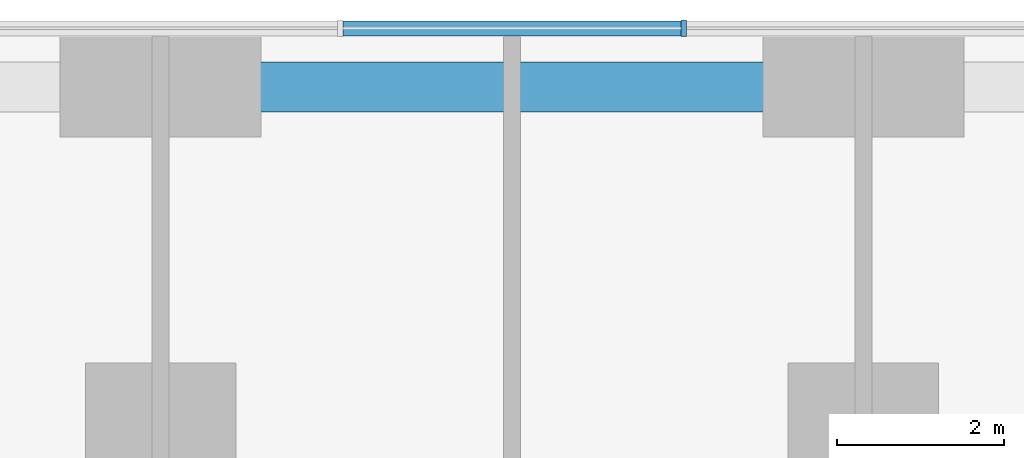
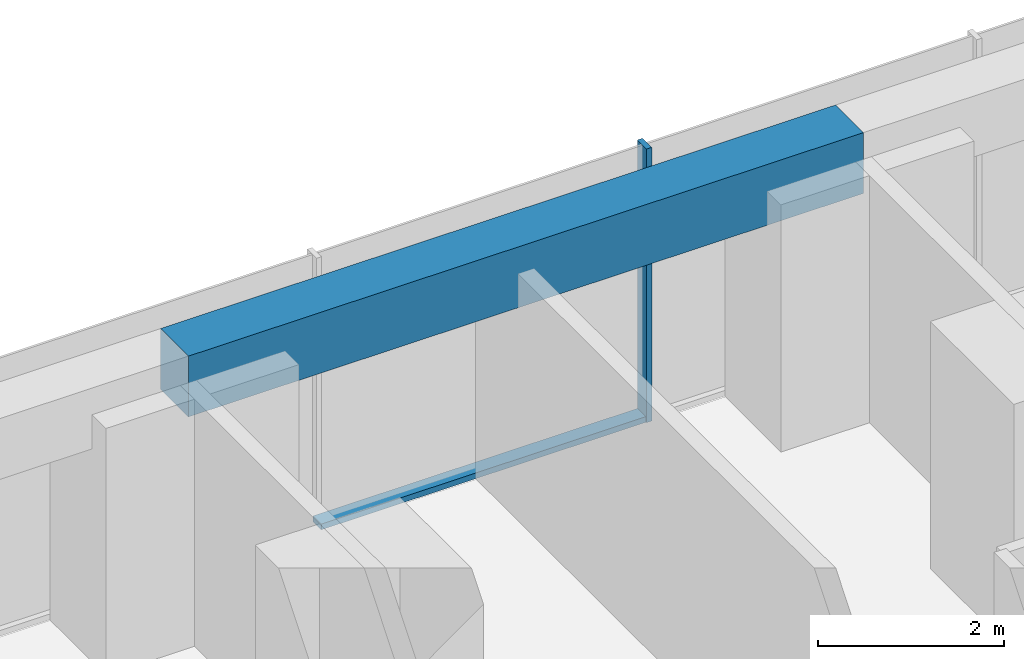
# One storey, part 7 of 18: 2 members, 1 beam, 1 element without a shape of its own.
"""IFC4 building model written with IfcOpenShell, lengths in metres."""

from ifc_helpers import new_model, si_unit, direction, frame, origin, origin_2d, place, context, subcontext, project, spatial, rectangle, extrude, material, material_profile, profile_set, type_object, element, aggregate, save


model = new_model("IFC4")

# Units and contexts
model_context = context("Model", 3, precision=1e-05, world=origin(), true_north=direction((0.0, 1.0)))
body_context = subcontext(model_context, "Body", "Model", "MODEL_VIEW")
ifc_project = project(units=[si_unit("LENGTHUNIT", "METRE"), si_unit("AREAUNIT", "SQUARE_METRE"), si_unit("VOLUMEUNIT", "CUBIC_METRE"), si_unit("PLANEANGLEUNIT", "RADIAN"), si_unit("MASSUNIT", "GRAM", prefix="KILO")], contexts=[model_context])

# Site, building, storey
site_placement = place(None, origin())
site = spatial("IfcSite", under=ifc_project, at=site_placement, CompositionType="ELEMENT")
building_placement = place(site_placement, origin())
building = spatial("IfcBuilding", under=site, at=building_placement, Name="Dunama Terrace Hotel", CompositionType="ELEMENT")
storey_placement = place(building_placement, frame((0.0, 0.0, 27.0)))
storey = spatial("IfcBuildingStorey", under=building, at=storey_placement, Name="L05", CompositionType="ELEMENT", Elevation=27.0)

# Curtain wall, members
ifc_material_1 = material(Name="Aluminium curtain wall system", Category="aluminium")
curtain_wall_type = type_object("IfcCurtainWallType", Name="Unitised fritted glass wall CW-A", PredefinedType="NOTDEFINED", material=ifc_material_1)
curtain_wall_placement = place(storey_placement, origin())
curtain_wall = element("IfcCurtainWall", 1, at=curtain_wall_placement, inside=storey, type_object=curtain_wall_type, Name="Unitised fritted glass wall CW-A L05", PredefinedType="NOTDEFINED")
ifc_material_2 = material(Name="Aluminium mullion", Category="aluminium")
ifc_material_profile_1 = material_profile(ifc_material_2, rectangle(XDim=0.06494140625, YDim=0.199951171875, at=origin_2d()), Name="CWA MULLION 65X200")
ifc_profile_set_1 = profile_set([ifc_material_profile_1], Name="Aluminium mullion")
member_type_1 = type_object("IfcMemberType", Name="CWA mullion 65x200", PredefinedType="MULLION", material=ifc_profile_set_1)
member_1_placement = place(storey_placement, frame((31.4541015625, 58.89990234375, 0.0), z_axis=(0.0, 0.0, 1.0), x_axis=(-1.0, 0.0, 0.0)))
member_1 = element("IfcMember", 2, at=member_1_placement, type_object=member_type_1, Name="CWA mullion", PredefinedType="MULLION", context=body_context, shape_type="SweptSolid", body=[
    extrude(rectangle(XDim=0.06494140625, YDim=0.199951171875, at=origin_2d()), origin(), (0.0, 0.0, 1.0), 3.60009765625),
])
ifc_material_3 = material(Name="Aluminium transom", Category="aluminium")
ifc_material_profile_2 = material_profile(ifc_material_3, rectangle(XDim=0.179931640625, YDim=0.074951171875, at=origin_2d()), Name="CWA TRANSOM 180X75")
ifc_profile_set_2 = profile_set([ifc_material_profile_2], Name="Aluminium transom")
member_type_2 = type_object("IfcMemberType", Name="CWA transom 180x75", PredefinedType="USERDEFINED", material=ifc_profile_set_2)
member_2_placement = place(storey_placement, frame((31.4208984375, 58.89990234375, 0.03759765625), z_axis=(-1.0, 0.0, 0.0), x_axis=(0.0, -1.0, 0.0)))
member_2 = element("IfcMember", 3, at=member_2_placement, type_object=member_type_2, Name="CWA transom", ObjectType="TRANSOM", PredefinedType="USERDEFINED", context=body_context, shape_type="SweptSolid", body=[
    extrude(rectangle(XDim=0.179931640625, YDim=0.074951171875, at=origin_2d()), origin(), (0.0, 0.0, 1.0), 4.0419921875),
])
aggregate(curtain_wall, [member_1, member_2])

# Beam
ifc_material_4 = material(Name="Concrete C40/50", Category="concrete")
ifc_material_profile_3 = material_profile(ifc_material_4, rectangle(XDim=0.60009765625, YDim=0.800048828125, at=origin_2d()), Name="RC 600x800")
ifc_profile_set_3 = profile_set([ifc_material_profile_3], Name="Concrete C40/50")
beam_type = type_object("IfcBeamType", Name="Edge beam RC 600x800", PredefinedType="SPANDREL", material=ifc_profile_set_3)
beam_placement = place(storey_placement, frame((25.199951171875, 58.199951171875, 3.199951171875), z_axis=(1.0, 0.0, 0.0), x_axis=(0.0, 1.0, 0.0)))
element("IfcBeam", 4, at=beam_placement, inside=storey, type_object=beam_type, Name="Edge beam under L06", PredefinedType="SPANDREL", context=body_context, shape_type="SweptSolid", body=[
    extrude(rectangle(XDim=0.60009765625, YDim=0.800048828125, at=origin_2d()), origin(), (0.0, 0.0, 1.0), 8.400146484375),
])

save(model, "model.ifc")
